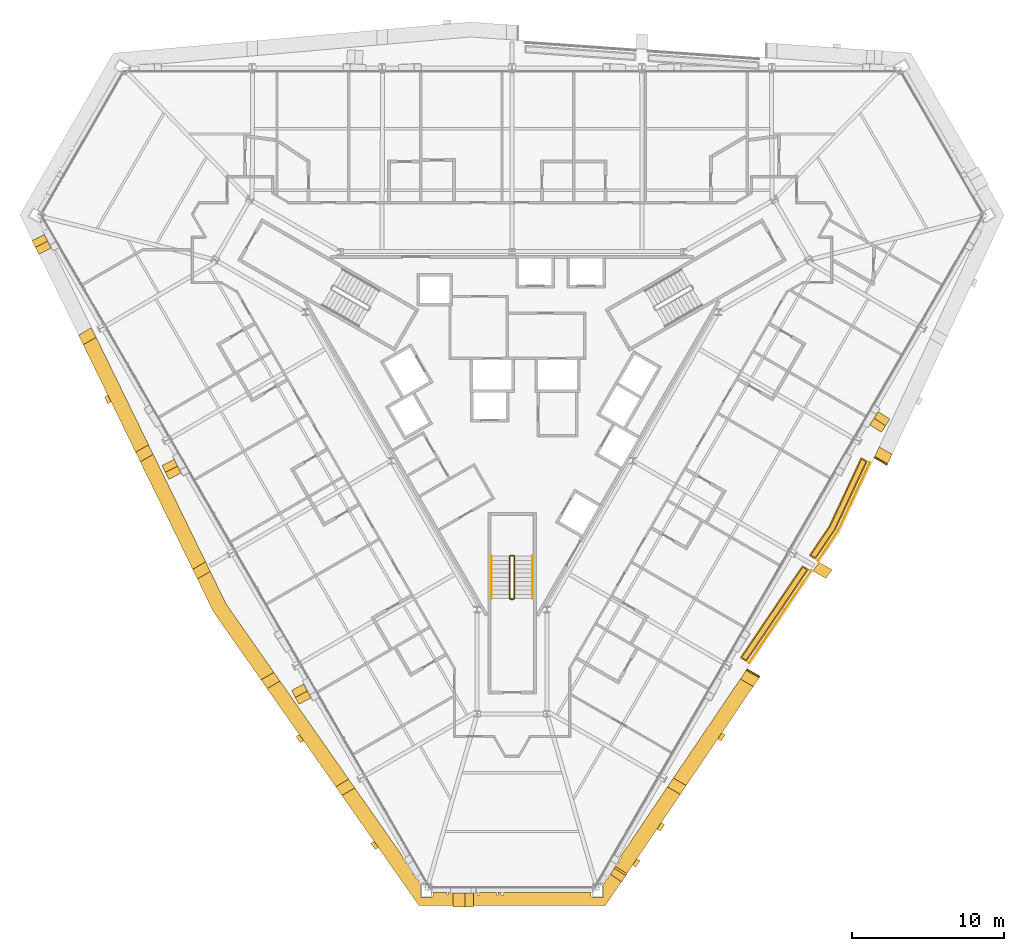
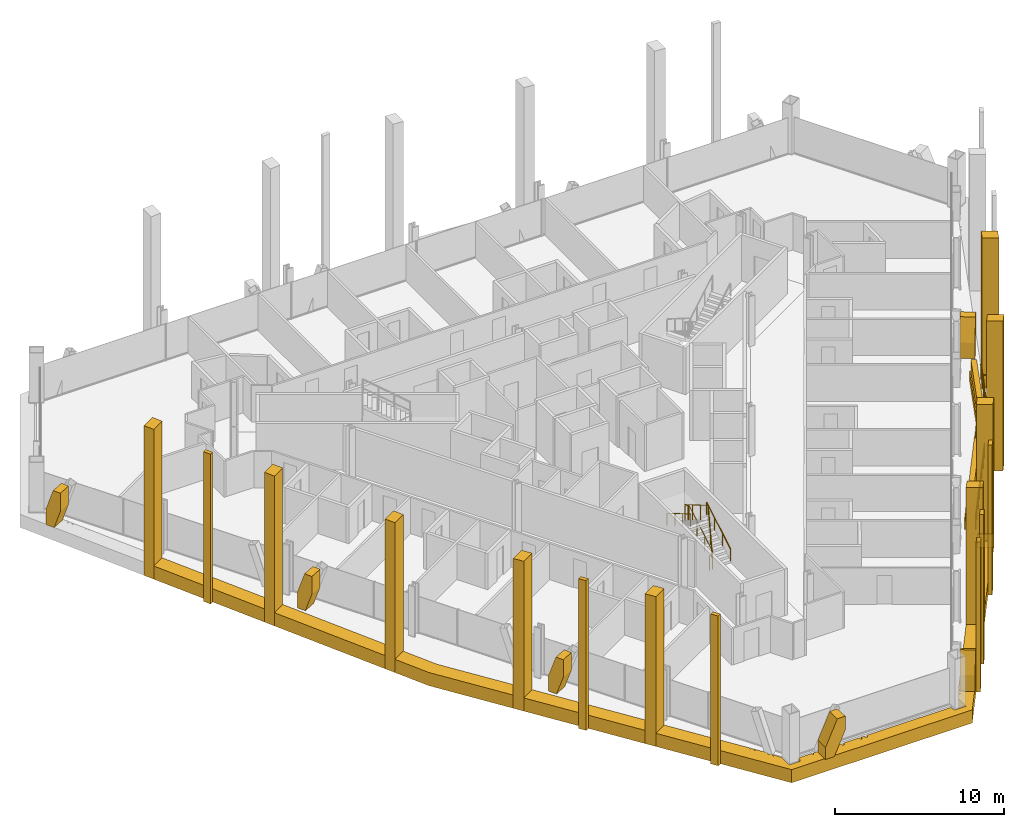
# One storey, part 19 of 21: 33 coverings, 5 railings.
"""IFC4 building model written with IfcOpenShell, lengths in metres."""

from ifc_helpers import new_model, si_unit, direction, frame, origin, origin_2d, place, context, subcontext, project, spatial, polyline, circle, outline, extrude, material, layer, layer_set, type_object, element, save


model = new_model("IFC4")

# Units and contexts
model_context = context("Model", 3, precision=1e-05, world=origin(), true_north=direction((0.0, 1.0)))
body_context = subcontext(model_context, "Body", "Model", "MODEL_VIEW")
ifc_project = project(units=[si_unit("LENGTHUNIT", "METRE"), si_unit("AREAUNIT", "SQUARE_METRE"), si_unit("VOLUMEUNIT", "CUBIC_METRE"), si_unit("PLANEANGLEUNIT", "RADIAN"), si_unit("MASSUNIT", "GRAM", prefix="KILO")], contexts=[model_context])

# Site, building, storey
site_placement = place(None, origin())
site = spatial("IfcSite", under=ifc_project, at=site_placement, CompositionType="ELEMENT")
building_placement = place(site_placement, origin())
building = spatial("IfcBuilding", under=site, at=building_placement, Name="Verrane Prism Tower", CompositionType="ELEMENT")
storey_placement = place(building_placement, frame((0.0, 0.0, 65.60009765625)))
storey = spatial("IfcBuildingStorey", under=building, at=storey_placement, Name="L14", CompositionType="ELEMENT", Elevation=65.60009765625)

# Coverings
ifc_material_1 = material(Name="Planting medium in stone kerb", Category="masonry")
covering_type_1 = type_object("IfcCoveringType", Name="Planter bed 600", PredefinedType="USERDEFINED", material=ifc_material_1)
covering_1_placement = place(storey_placement, origin())
element("IfcCovering", 1, at=covering_1_placement, inside=storey, type_object=covering_type_1, Name="Loggia planter SE3 L14", ObjectType="PLANTER", PredefinedType="USERDEFINED", context=body_context, shape_type="SweptSolid", body=[
    extrude(outline(polyline([(15.480224609375, -17.8564453125), (19.587890625, -11.77099609375), (19.155029296875, -11.52099609375), (15.04736328125, -17.6064453125), (15.480224609375, -17.8564453125)])), origin(), (0.0, 0.0, 1.0), 0.599853515625),
])
covering_2_placement = place(storey_placement, origin())
element("IfcCovering", 2, at=covering_2_placement, inside=storey, type_object=covering_type_1, Name="Loggia planter SE4 L14", ObjectType="PLANTER", PredefinedType="USERDEFINED", context=body_context, shape_type="SweptSolid", body=[
    extrude(outline(polyline([(20.03662109375, -11.106201171875), (21.35009765625, -9.160400390625), (23.4658203125, -4.629150390625), (23.03271484375, -4.379150390625), (20.917236328125, -8.910400390625), (19.603759765625, -10.856201171875), (20.03662109375, -11.106201171875)])), origin(), (0.0, 0.0, 1.0), 0.599853515625),
])
ifc_material_2 = material(Name="Planted shrubs and grasses", Category="other")
covering_type_2 = type_object("IfcCoveringType", Name="Planting mass 1000", PredefinedType="USERDEFINED", material=ifc_material_2)
covering_3_placement = place(storey_placement, frame((0.0, 0.0, 0.599853515625)))
element("IfcCovering", 3, at=covering_3_placement, inside=storey, type_object=covering_type_2, Name="Loggia planting SE3 L14", ObjectType="PLANTING", PredefinedType="USERDEFINED", context=body_context, shape_type="SweptSolid", body=[
    extrude(outline(polyline([(19.4736328125, -11.79736328125), (19.1796875, -11.627685546875), (15.16162109375, -17.580078125), (15.455810546875, -17.75), (19.4736328125, -11.79736328125)])), origin(), (0.0, 0.0, 1.0), 0.900146484375),
])
covering_4_placement = place(storey_placement, frame((0.0, 0.0, 0.599853515625)))
element("IfcCovering", 4, at=covering_4_placement, inside=storey, type_object=covering_type_2, Name="Loggia planting SE4 L14", ObjectType="PLANTING", PredefinedType="USERDEFINED", context=body_context, shape_type="SweptSolid", body=[
    extrude(outline(polyline([(21.280517578125, -9.120849609375), (23.3623046875, -4.66162109375), (23.068359375, -4.491943359375), (20.987060546875, -8.949951171875), (19.718017578125, -10.829833984375), (20.01220703125, -10.999755859375), (21.280517578125, -9.120849609375)])), origin(), (0.0, 0.0, 1.0), 0.900146484375),
])

# Railings
ifc_material_3 = material(Name="Steel A36 rail and posts, no infill", Category="steel")
railing_type_1 = type_object("IfcRailingType", Name="Stair guard 1100 steel rail and posts", PredefinedType="GUARDRAIL", material=ifc_material_3)
railing_1_placement = place(storey_placement, frame((0.14990234375, -13.699951171875, 0.16357421875)))
element("IfcRailing", 5, at=railing_1_placement, inside=storey, type_object=railing_type_1, Name="Stair 3 guard", PredefinedType="GUARDRAIL", context=body_context, shape_type="SweptSolid", body=[
    extrude(circle(Radius=0.02392578125, at=origin_2d()), frame((0.0, 0.0, 1.076171875), z_axis=(0.0, 0.863393664356, 0.504530851732), x_axis=(-1.0, 0.0, 0.0)), (0.0, 0.0, 1.0), 3.2431640625),
    extrude(circle(Radius=0.02392578125, at=origin_2d()), frame((0.0, 2.800048828125, 2.71240234375), z_axis=(-0.707106781187, 0.707106781187, 0.0), x_axis=(-0.707106781187, -0.707106781187, 0.0)), (0.0, 0.0, 1.0), 0.0703125),
    extrude(circle(Radius=0.02392578125, at=origin_2d()), frame((-0.0498046875, 2.849853515625, 2.71240234375), z_axis=(-1.0, 0.0, 0.0), x_axis=(0.0, -1.0, 0.0)), (0.0, 0.0, 1.0), 0.2001953125),
    extrude(circle(Radius=0.02392578125, at=origin_2d()), frame((-0.25, 2.849853515625, 2.71240234375), z_axis=(-0.279301935624, -0.279301935624, 0.918684307863), x_axis=(0.707106781187, -0.707106781187, 0.0)), (0.0, 0.0, 1.0), 0.17822265625),
    extrude(circle(Radius=0.02392578125, at=origin_2d()), frame((-0.2998046875, 2.800048828125, 2.8759765625), z_axis=(0.0, -0.863393664356, 0.504530851732), x_axis=(1.0, 0.0, 0.0)), (0.0, 0.0, 1.0), 3.2431640625),
    extrude(circle(Radius=0.02392578125, at=origin_2d()), frame((-0.2998046875, 0.0, 4.51220703125), z_axis=(0.069273741535, -0.013868278335, -0.997501288014), x_axis=(0.196300278283, 0.98054382908, 0.0)), (0.0, 0.0, 1.0), 3.60888671875),
    extrude(circle(Radius=0.02392578125, at=origin_2d()), frame((-0.0498046875, -0.050048828125, 0.91259765625), z_axis=(-1.0, 0.0, 0.0), x_axis=(0.0, -1.0, 0.0)), (0.0, 0.0, 1.0), 0.2001953125),
    extrude(circle(Radius=0.02099609375, at=origin_2d()), origin(), (0.0, 0.0, 1.0), 1.052001953125),
    extrude(circle(Radius=0.02099609375, at=origin_2d()), frame((0.0, 0.933349609375, 0.54541015625)), (0.0, 0.0, 1.0), 1.052001953125),
    extrude(circle(Radius=0.02099609375, at=origin_2d()), frame((0.0, 1.86669921875, 1.0908203125)), (0.0, 0.0, 1.0), 1.052001953125),
    extrude(circle(Radius=0.02099609375, at=origin_2d()), frame((0.0, 2.800048828125, 1.63623046875)), (0.0, 0.0, 1.0), 1.052001953125),
    extrude(circle(Radius=0.02099609375, at=origin_2d()), frame((-0.0498046875, 2.849853515625, 1.63623046875)), (0.0, 0.0, 1.0), 1.052001953125),
    extrude(circle(Radius=0.02099609375, at=origin_2d()), frame((-0.25, 2.849853515625, 1.63623046875)), (0.0, 0.0, 1.0), 1.052001953125),
    extrude(circle(Radius=0.02099609375, at=origin_2d()), frame((-0.2998046875, 2.800048828125, 1.800048828125)), (0.0, 0.0, 1.0), 1.052001953125),
    extrude(circle(Radius=0.02099609375, at=origin_2d()), frame((-0.2998046875, 1.86669921875, 2.345458984375)), (0.0, 0.0, 1.0), 1.052001953125),
    extrude(circle(Radius=0.02099609375, at=origin_2d()), frame((-0.2998046875, 0.933349609375, 2.890869140625)), (0.0, 0.0, 1.0), 1.052001953125),
    extrude(circle(Radius=0.02099609375, at=origin_2d()), frame((-0.2998046875, 0.0, 3.436279296875)), (0.0, 0.0, 1.0), 1.052001953125),
    extrude(circle(Radius=0.02099609375, at=origin_2d()), frame((-0.2373046875, -0.012451171875, 2.536376953125)), (0.0, 0.0, 1.0), 1.052001953125),
    extrude(circle(Radius=0.02099609375, at=origin_2d()), frame((-0.1748046875, -0.02490234375, 1.63623046875)), (0.0, 0.0, 1.0), 1.052001953125),
    extrude(circle(Radius=0.02099609375, at=origin_2d()), frame((-0.1123046875, -0.03759765625, 0.736328125)), (0.0, 0.0, 1.0), 1.052001953125),
    extrude(circle(Radius=0.02099609375, at=origin_2d()), frame((-0.0498046875, -0.050048828125, -0.16357421875)), (0.0, 0.0, 1.0), 1.052001953125),
    extrude(circle(Radius=0.02099609375, at=origin_2d()), frame((-0.25, -0.050048828125, -0.16357421875)), (0.0, 0.0, 1.0), 1.052001953125),
])
ifc_material_4 = material(Name="Steel A36 tube", Category="steel")
railing_type_2 = type_object("IfcRailingType", Name="Stair handrail 900 steel tube", PredefinedType="HANDRAIL", material=ifc_material_4)
railing_2_placement = place(storey_placement, frame((1.35009765625, -13.699951171875, 0.16357421875)))
element("IfcRailing", 6, at=railing_2_placement, inside=storey, type_object=railing_type_2, Name="Stair 3 handrail", PredefinedType="HANDRAIL", context=body_context, shape_type="SweptSolid", body=[
    extrude(circle(Radius=0.02392578125, at=origin_2d()), frame((0.0, 0.0, 0.8759765625), z_axis=(0.0, 0.863393664356, 0.504530851732), x_axis=(-1.0, 0.0, 0.0)), (0.0, 0.0, 1.0), 3.2431640625),
    extrude(circle(Radius=0.02099609375, at=origin_2d()), origin(), (0.0, 0.0, 1.0), 0.851806640625),
    extrude(circle(Radius=0.02099609375, at=origin_2d()), frame((0.0, 0.933349609375, 0.54541015625)), (0.0, 0.0, 1.0), 0.851806640625),
    extrude(circle(Radius=0.02099609375, at=origin_2d()), frame((0.0, 1.86669921875, 1.0908203125)), (0.0, 0.0, 1.0), 0.851806640625),
    extrude(circle(Radius=0.02099609375, at=origin_2d()), frame((0.0, 2.800048828125, 1.63623046875)), (0.0, 0.0, 1.0), 0.851806640625),
])
railing_3_placement = place(storey_placement, frame((-1.35009765625, -10.89990234375, 1.963623046875)))
element("IfcRailing", 7, at=railing_3_placement, inside=storey, type_object=railing_type_2, Name="Stair 3 handrail", PredefinedType="HANDRAIL", context=body_context, shape_type="SweptSolid", body=[
    extrude(circle(Radius=0.02392578125, at=origin_2d()), frame((0.0, 0.0, 0.8759765625), z_axis=(0.0, -0.863393664356, 0.504530851732), x_axis=(1.0, 0.0, 0.0)), (0.0, 0.0, 1.0), 3.2431640625),
    extrude(circle(Radius=0.02099609375, at=origin_2d()), origin(), (0.0, 0.0, 1.0), 0.851806640625),
    extrude(circle(Radius=0.02099609375, at=origin_2d()), frame((0.0, -0.933349609375, 0.54541015625)), (0.0, 0.0, 1.0), 0.851806640625),
    extrude(circle(Radius=0.02099609375, at=origin_2d()), frame((0.0, -1.86669921875, 1.0908203125)), (0.0, 0.0, 1.0), 0.851806640625),
    extrude(circle(Radius=0.02099609375, at=origin_2d()), frame((0.0, -2.800048828125, 1.63623046875)), (0.0, 0.0, 1.0), 0.851806640625),
])

# Coverings
ifc_material_5 = material(Name="Warm limestone cladding", Category="masonry")
ifc_layer_1 = layer(ifc_material_5, 0.89990234375)
ifc_layer_set_1 = layer_set([ifc_layer_1], Name="Stone brace fin 900")
covering_type_3 = type_object("IfcCoveringType", Name="Stone brace fin 900", PredefinedType="CLADDING", material=ifc_layer_set_1)
covering_5_placement = place(storey_placement, frame((-31.276123046875, 10.12548828125, 0.0), z_axis=(0.0, 0.0, 1.0), x_axis=(0.455390384717, -0.890291860856, 0.0)))
element("IfcCovering", 8, at=covering_5_placement, inside=storey, type_object=covering_type_3, Name="Stone brace fin SW1 L14", PredefinedType="CLADDING", context=body_context, shape_type="SweptSolid", body=[
    extrude(outline(polyline([(1.0009765625, 2.64990234375), (0.488037109375, 2.64990234375), (0.0, 1.1826171875), (0.0, 0.0), (0.554931640625, 0.0), (1.0009765625, 1.340087890625), (1.0009765625, 2.64990234375)])), frame((0.0, 0.449951171875, 0.0), z_axis=(0.0, -1.0, 0.0), x_axis=(1.0, 0.0, 0.0)), (0.0, 0.0, 1.0), 0.89990234375),
])
covering_6_placement = place(storey_placement, frame((-22.708251953125, -4.711181640625, 0.0), z_axis=(0.0, 0.0, 1.0), x_axis=(0.456204703793, -0.889874860998, 0.0)))
element("IfcCovering", 9, at=covering_6_placement, inside=storey, type_object=covering_type_3, Name="Stone brace fin SW3 L14", PredefinedType="CLADDING", context=body_context, shape_type="SweptSolid", body=[
    extrude(outline(polyline([(1.018310546875, 2.64990234375), (0.504150390625, 2.64990234375), (0.0, 1.16064453125), (0.0, 0.0), (0.55712890625, 0.0), (1.018310546875, 1.362060546875), (1.018310546875, 2.64990234375)])), frame((0.0, 0.449951171875, 0.0), z_axis=(0.0, -1.0, 0.0), x_axis=(1.0, 0.0, 0.0)), (0.0, 0.0, 1.0), 0.89990234375),
])
covering_7_placement = place(storey_placement, frame((-14.144287109375, -19.546142578125, 0.0), z_axis=(0.0, 0.0, 1.0), x_axis=(0.45700146616, -0.889465940848, 0.0)))
element("IfcCovering", 10, at=covering_7_placement, inside=storey, type_object=covering_type_3, Name="Stone brace fin SW5 L14", PredefinedType="CLADDING", context=body_context, shape_type="SweptSolid", body=[
    extrude(outline(polyline([(1.034912109375, 2.64990234375), (0.519287109375, 2.64990234375), (0.0, 1.140625), (0.0, 0.0), (0.559326171875, 0.0), (1.034912109375, 1.382080078125), (1.034912109375, 2.64990234375)])), frame((0.0, 0.449951171875, 0.0), z_axis=(0.0, -1.0, 0.0), x_axis=(1.0, 0.0, 0.0)), (0.0, 0.0, 1.0), 0.89990234375),
])
covering_8_placement = place(storey_placement, frame((6.87060546875, -32.14794921875, 0.0), z_axis=(0.0, 0.0, 1.0), x_axis=(0.543538748435, 0.839384077136, 0.0)))
element("IfcCovering", 11, at=covering_8_placement, inside=storey, type_object=covering_type_3, Name="Stone brace fin SE1 L14", PredefinedType="CLADDING", context=body_context, shape_type="SweptSolid", body=[
    extrude(outline(polyline([(0.6337890625, 2.64990234375), (0.488037109375, 2.64990234375), (0.0, 1.182861328125), (0.0, 0.0), (0.554931640625, 0.0), (0.6337890625, 0.237060546875), (0.6337890625, 2.64990234375)])), frame((0.0, 0.449951171875, 0.0), z_axis=(0.0, -1.0, 0.0), x_axis=(1.0, 0.0, 0.0)), (0.0, 0.0, 1.0), 0.89990234375),
])
covering_9_placement = place(storey_placement, frame((23.997314453125, -2.4755859375, 0.0), z_axis=(0.0, 0.0, 1.0), x_axis=(0.541115510914, 0.84094827656, 0.0)))
element("IfcCovering", 12, at=covering_9_placement, inside=storey, type_object=covering_type_3, Name="Stone brace fin SE5 L14", PredefinedType="CLADDING", context=body_context, shape_type="SweptSolid", body=[
    extrude(outline(polyline([(1.0341796875, 2.64990234375), (0.5185546875, 2.64990234375), (0.0, 1.141357421875), (0.0, 0.0), (0.559326171875, 0.0), (1.0341796875, 1.38134765625), (1.0341796875, 2.64990234375)])), frame((0.0, 0.449951171875, 0.0), z_axis=(0.0, -1.0, 0.0), x_axis=(1.0, 0.0, 0.0)), (0.0, 0.0, 1.0), 0.89990234375),
])
covering_10_placement = place(storey_placement, frame((-3.90185546875, -33.587890625, 0.0), z_axis=(0.0, 0.0, 1.0), x_axis=(1.0, 0.0, 0.0)))
element("IfcCovering", 13, at=covering_10_placement, inside=storey, type_object=covering_type_3, Name="Stone brace fin S1 L14", PredefinedType="CLADDING", context=body_context, shape_type="SweptSolid", body=[
    extrude(outline(polyline([(1.3466796875, 2.64990234375), (0.804931640625, 2.64990234375), (0.0, 0.8544921875), (0.0, 0.0), (0.60302734375, 0.0), (1.3466796875, 1.658203125), (1.3466796875, 2.64990234375)])), frame((0.0, 0.449951171875, 0.0), z_axis=(0.0, -1.0, 0.0), x_axis=(1.0, 0.0, 0.0)), (0.0, 0.0, 1.0), 0.89990234375),
])
ifc_material_6 = material(Name="Warm limestone cladding", Category="masonry")
covering_type_4 = type_object("IfcCoveringType", Name="Stone mullion pier 500", PredefinedType="CLADDING", material=ifc_material_6)
covering_11_placement = place(storey_placement, frame((0.0, 0.0, -0.9501953125)))
element("IfcCovering", 14, at=covering_11_placement, inside=storey, type_object=covering_type_4, Name="Stone pier SM-SW1.1 L14-L16", PredefinedType="CLADDING", context=body_context, shape_type="SweptSolid", body=[
    extrude(outline(polyline([(-26.459228515625, -0.714599609375), (-26.678955078125, -0.263916015625), (-26.89599609375, -0.38916015625), (-26.676513671875, -0.83984375), (-26.459228515625, -0.714599609375)])), origin(), (0.0, 0.0, 1.0), 10.800048828125),
])
covering_12_placement = place(storey_placement, frame((0.0, 0.0, -0.9501953125)))
element("IfcCovering", 15, at=covering_12_placement, inside=storey, type_object=covering_type_4, Name="Stone pier SM-SW4.1 L14-L16", PredefinedType="CLADDING", context=body_context, shape_type="SweptSolid", body=[
    extrude(outline(polyline([(-13.752197265625, -23.0791015625), (-14.0400390625, -22.66796875), (-14.25732421875, -22.793212890625), (-13.9697265625, -23.20458984375), (-13.752197265625, -23.0791015625)])), origin(), (0.0, 0.0, 1.0), 10.800048828125),
])
covering_13_placement = place(storey_placement, frame((0.0, 0.0, -0.9501953125)))
element("IfcCovering", 16, at=covering_13_placement, inside=storey, type_object=covering_type_4, Name="Stone pier SM-SW5.1 L14-L16", PredefinedType="CLADDING", context=body_context, shape_type="SweptSolid", body=[
    extrude(outline(polyline([(-8.819091796875, -30.13134765625), (-9.106689453125, -29.719970703125), (-9.32421875, -29.845458984375), (-9.036376953125, -30.2568359375), (-8.819091796875, -30.13134765625)])), origin(), (0.0, 0.0, 1.0), 10.800048828125),
])
covering_14_placement = place(storey_placement, frame((0.0, 0.0, -0.9501953125)))
element("IfcCovering", 17, at=covering_14_placement, inside=storey, type_object=covering_type_4, Name="Stone pier SM-SE0.1 L14-L16", PredefinedType="CLADDING", context=body_context, shape_type="SweptSolid", body=[
    extrude(outline(polyline([(8.23828125, -30.86865234375), (7.957763671875, -31.2841796875), (8.1748046875, -31.409423828125), (8.455322265625, -30.993896484375), (8.23828125, -30.86865234375)])), origin(), (0.0, 0.0, 1.0), 10.800048828125),
])
covering_15_placement = place(storey_placement, frame((0.0, 0.0, -0.9501953125)))
element("IfcCovering", 18, at=covering_15_placement, inside=storey, type_object=covering_type_4, Name="Stone pier SM-SE0.2 L14-L16", PredefinedType="CLADDING", context=body_context, shape_type="SweptSolid", body=[
    extrude(outline(polyline([(9.84130859375, -28.493896484375), (9.560791015625, -28.909423828125), (9.77783203125, -29.03466796875), (10.05810546875, -28.619140625), (9.84130859375, -28.493896484375)])), origin(), (0.0, 0.0, 1.0), 10.800048828125),
])
covering_16_placement = place(storey_placement, frame((0.0, 0.0, -0.9501953125)))
element("IfcCovering", 19, at=covering_16_placement, inside=storey, type_object=covering_type_4, Name="Stone pier SM-SE1.1 L14-L16", PredefinedType="CLADDING", context=body_context, shape_type="SweptSolid", body=[
    extrude(outline(polyline([(13.848388671875, -22.55712890625), (13.568115234375, -22.97265625), (13.784912109375, -23.097900390625), (14.0654296875, -22.6826171875), (13.848388671875, -22.55712890625)])), origin(), (0.0, 0.0, 1.0), 10.800048828125),
])
ifc_material_7 = material(Name="Warm limestone cladding", Category="masonry")
covering_type_5 = type_object("IfcCoveringType", Name="Stone pier 700", PredefinedType="CLADDING", material=ifc_material_7)
covering_17_placement = place(storey_placement, frame((0.0, 0.0, -0.9501953125)))
element("IfcCovering", 20, at=covering_17_placement, inside=storey, type_object=covering_type_5, Name="Stone pier PC-SW1 L14-L16", PredefinedType="CLADDING", context=body_context, shape_type="SweptSolid", body=[
    extrude(outline(polyline([(-28.298095703125, 3.05859375), (-27.448974609375, 3.548828125), (-27.75634765625, 4.1796875), (-28.60546875, 3.689453125), (-28.298095703125, 3.05859375)])), origin(), (0.0, 0.0, 1.0), 10.800048828125),
])
covering_18_placement = place(storey_placement, frame((0.0, 0.0, -0.9501953125)))
element("IfcCovering", 21, at=covering_18_placement, inside=storey, type_object=covering_type_5, Name="Stone pier PC-SW2 L14-L16", PredefinedType="CLADDING", context=body_context, shape_type="SweptSolid", body=[
    extrude(outline(polyline([(-24.53271484375, -4.667724609375), (-23.68359375, -4.177490234375), (-23.9912109375, -3.546630859375), (-24.840087890625, -4.037109375), (-24.53271484375, -4.667724609375)])), origin(), (0.0, 0.0, 1.0), 10.800048828125),
])
covering_19_placement = place(storey_placement, frame((0.0, 0.0, -0.9501953125)))
element("IfcCovering", 22, at=covering_19_placement, inside=storey, type_object=covering_type_5, Name="Stone pier PC-SW3 L14-L16", PredefinedType="CLADDING", context=body_context, shape_type="SweptSolid", body=[
    extrude(outline(polyline([(-20.767578125, -12.394287109375), (-19.91845703125, -11.904052734375), (-20.225830078125, -11.273193359375), (-21.074951171875, -11.763427734375), (-20.767578125, -12.394287109375)])), origin(), (0.0, 0.0, 1.0), 10.800048828125),
])
covering_20_placement = place(storey_placement, frame((0.0, 0.0, -0.9501953125)))
element("IfcCovering", 23, at=covering_20_placement, inside=storey, type_object=covering_type_5, Name="Stone pier PC-SW4 L14-L16", PredefinedType="CLADDING", context=body_context, shape_type="SweptSolid", body=[
    extrude(outline(polyline([(-16.161376953125, -19.63525390625), (-15.311279296875, -19.144287109375), (-15.7138671875, -18.568603515625), (-16.564208984375, -19.0595703125), (-16.161376953125, -19.63525390625)])), origin(), (0.0, 0.0, 1.0), 10.800048828125),
])
covering_21_placement = place(storey_placement, frame((0.0, 0.0, -0.9501953125)))
element("IfcCovering", 24, at=covering_21_placement, inside=storey, type_object=covering_type_5, Name="Stone pier PC-SW5 L14-L16", PredefinedType="CLADDING", context=body_context, shape_type="SweptSolid", body=[
    extrude(outline(polyline([(-11.228271484375, -26.6875), (-10.3779296875, -26.196533203125), (-10.78076171875, -25.620849609375), (-11.630859375, -26.11181640625), (-11.228271484375, -26.6875)])), origin(), (0.0, 0.0, 1.0), 10.800048828125),
])
covering_22_placement = place(storey_placement, frame((0.0, 0.0, -0.9501953125)))
element("IfcCovering", 25, at=covering_22_placement, inside=storey, type_object=covering_type_5, Name="Stone pier PC-SE1 L14-L16", PredefinedType="CLADDING", context=body_context, shape_type="SweptSolid", body=[
    extrude(outline(polyline([(11.5, -26.0361328125), (10.65087890625, -25.5458984375), (10.25830078125, -26.12744140625), (11.107421875, -26.617919921875), (11.5, -26.0361328125)])), origin(), (0.0, 0.0, 1.0), 10.800048828125),
])
covering_23_placement = place(storey_placement, frame((0.0, 0.0, -0.9501953125)))
element("IfcCovering", 26, at=covering_23_placement, inside=storey, type_object=covering_type_5, Name="Stone pier PC-SE2 L14-L16", PredefinedType="CLADDING", context=body_context, shape_type="SweptSolid", body=[
    extrude(outline(polyline([(16.308837890625, -18.912109375), (15.459716796875, -18.421875), (15.06689453125, -19.00341796875), (15.916259765625, -19.49365234375), (16.308837890625, -18.912109375)])), origin(), (0.0, 0.0, 1.0), 10.800048828125),
])
covering_24_placement = place(storey_placement, frame((0.0, 0.0, -0.9501953125)))
element("IfcCovering", 27, at=covering_24_placement, inside=storey, type_object=covering_type_5, Name="Stone pier PC-SE3 L14-L16", PredefinedType="CLADDING", context=body_context, shape_type="SweptSolid", body=[
    extrude(outline(polyline([(21.117431640625, -11.7880859375), (20.268310546875, -11.2978515625), (19.875732421875, -11.87939453125), (20.724853515625, -12.36962890625), (21.117431640625, -11.7880859375)])), origin(), (0.0, 0.0, 1.0), 10.800048828125),
])
covering_25_placement = place(storey_placement, frame((0.0, 0.0, -0.9501953125)))
element("IfcCovering", 28, at=covering_25_placement, inside=storey, type_object=covering_type_5, Name="Stone pier PC-SE4 L14-L16", PredefinedType="CLADDING", context=body_context, shape_type="SweptSolid", body=[
    extrude(outline(polyline([(25.08544921875, -4.178466796875), (24.235107421875, -3.6875), (23.93798828125, -4.32421875), (24.7880859375, -4.815185546875), (25.08544921875, -4.178466796875)])), origin(), (0.0, 0.0, 1.0), 10.800048828125),
])
ifc_material_8 = material(Name="Warm limestone cladding", Category="masonry")
ifc_layer_2 = layer(ifc_material_8, 0.449951171875)
ifc_layer_set_2 = layer_set([ifc_layer_2], Name="Stone spandrel band 450")
covering_type_6 = type_object("IfcCoveringType", Name="Stone spandrel band 450", PredefinedType="CLADDING", material=ifc_layer_set_2)
covering_26_placement = place(storey_placement, frame((0.0, 0.0, -0.9501953125)))
element("IfcCovering", 29, at=covering_26_placement, inside=storey, type_object=covering_type_6, Name="Stone spandrel band L14 part 1", PredefinedType="CLADDING", context=body_context, shape_type="SweptSolid", body=[
    extrude(outline(polyline([(6.166015625, -33.93896484375), (11.107421875, -26.617919921875), (10.25830078125, -26.12744140625), (7.781005859375, -29.798095703125), (7.819091796875, -29.836181640625), (7.741943359375, -29.9130859375), (7.71875, -29.889892578125), (7.650146484375, -29.99169921875), (7.69384765625, -30.01708984375), (7.6572265625, -30.08056640625), (7.60888671875, -30.052490234375), (7.141845703125, -30.74462890625), (7.2412109375, -30.802001953125), (7.18310546875, -30.90283203125), (7.07666015625, -30.84130859375), (6.960205078125, -31.013671875), (7.075439453125, -31.08837890625), (7.03662109375, -31.1484375), (6.920166015625, -31.072998046875), (6.71044921875, -31.3837890625), (6.489990234375, -31.765625), (6.593505859375, -31.83251953125), (6.531494140625, -31.92822265625), (6.432861328125, -31.864501953125), (6.318115234375, -32.063720703125), (6.394775390625, -32.142822265625), (6.346435546875, -32.189697265625), (6.282958984375, -32.124267578125), (6.030029296875, -32.5625), (6.030029296875, -33.43994140625), (5.27001953125, -33.43994140625), (5.27001953125, -33.418212890625), (5.219970703125, -33.3349609375), (5.219970703125, -33.093994140625), (-0.5361328125, -33.093994140625), (-0.57861328125, -33.28759765625), (-0.735595703125, -33.2529296875), (-0.70068359375, -33.093994140625), (-0.94091796875, -33.093994140625), (-0.94091796875, -33.260009765625), (-1.0341796875, -33.260009765625), (-1.0341796875, -33.093994140625), (-2.1328125, -33.093994140625), (-2.1328125, -33.260009765625), (-2.28759765625, -33.260009765625), (-2.28759765625, -33.093994140625), (-2.555419921875, -33.093994140625), (-2.555419921875, -33.260009765625), (-2.648681640625, -33.260009765625), (-2.648681640625, -33.093994140625), (-3.747314453125, -33.093994140625), (-3.747314453125, -33.260009765625), (-3.90185546875, -33.260009765625), (-3.90185546875, -33.093994140625), (-4.195068359375, -33.093994140625), (-4.2412109375, -33.247314453125), (-4.32421875, -33.22216796875), (-4.285400390625, -33.093994140625), (-5.219970703125, -33.093994140625), (-5.219970703125, -33.3349609375), (-5.27001953125, -33.418212890625), (-5.27001953125, -33.43994140625), (-6.030029296875, -33.43994140625), (-6.030029296875, -32.5625), (-6.282958984375, -32.124267578125), (-6.346435546875, -32.189697265625), (-6.394775390625, -32.142822265625), (-6.318115234375, -32.063720703125), (-6.432861328125, -31.864501953125), (-6.531494140625, -31.92822265625), (-6.593505859375, -31.83251953125), (-6.489990234375, -31.765625), (-6.527587890625, -31.70068359375), (-6.9521484375, -31.09375), (-7.03662109375, -31.1484375), (-7.075439453125, -31.08837890625), (-6.9931640625, -31.034912109375), (-7.113525390625, -30.86279296875), (-7.18310546875, -30.90283203125), (-7.2412109375, -30.802001953125), (-7.1806640625, -30.76708984375), (-10.3779296875, -26.196533203125), (-11.228271484375, -26.6875), (-6.155517578125, -33.93896484375), (6.166015625, -33.93896484375)])), origin(), (0.0, 0.0, 1.0), 0.9501953125),
])
covering_27_placement = place(storey_placement, frame((0.0, 0.0, -0.9501953125)))
element("IfcCovering", 30, at=covering_27_placement, inside=storey, type_object=covering_type_6, Name="Stone spandrel band L14 part 4", PredefinedType="CLADDING", context=body_context, shape_type="SweptSolid", body=[
    extrude(outline(polyline([(-23.9912109375, -3.546630859375), (-27.448974609375, 3.548828125), (-28.298095703125, 3.05859375), (-24.840087890625, -4.037109375), (-23.9912109375, -3.546630859375)])), origin(), (0.0, 0.0, 1.0), 0.9501953125),
])
covering_28_placement = place(storey_placement, frame((0.0, 0.0, -0.9501953125)))
element("IfcCovering", 31, at=covering_28_placement, inside=storey, type_object=covering_type_6, Name="Stone spandrel band L14 part 5", PredefinedType="CLADDING", context=body_context, shape_type="SweptSolid", body=[
    extrude(outline(polyline([(-24.53271484375, -4.667724609375), (-21.074951171875, -11.763427734375), (-20.225830078125, -11.273193359375), (-23.68359375, -4.177490234375), (-24.53271484375, -4.667724609375)])), origin(), (0.0, 0.0, 1.0), 0.9501953125),
])
covering_29_placement = place(storey_placement, frame((0.0, 0.0, -0.9501953125)))
element("IfcCovering", 32, at=covering_29_placement, inside=storey, type_object=covering_type_6, Name="Stone spandrel band L14 part 6", PredefinedType="CLADDING", context=body_context, shape_type="SweptSolid", body=[
    extrude(outline(polyline([(-19.712890625, -14.55859375), (-16.564208984375, -19.0595703125), (-15.7138671875, -18.568603515625), (-18.8671875, -14.06103515625), (-19.91845703125, -11.904052734375), (-20.767578125, -12.394287109375), (-19.712890625, -14.55859375)])), origin(), (0.0, 0.0, 1.0), 0.9501953125),
])
covering_30_placement = place(storey_placement, frame((0.0, 0.0, -0.9501953125)))
element("IfcCovering", 33, at=covering_30_placement, inside=storey, type_object=covering_type_6, Name="Stone spandrel band L14 part 7", PredefinedType="CLADDING", context=body_context, shape_type="SweptSolid", body=[
    extrude(outline(polyline([(-10.78076171875, -25.620849609375), (-15.311279296875, -19.144287109375), (-16.161376953125, -19.63525390625), (-11.630859375, -26.11181640625), (-10.78076171875, -25.620849609375)])), origin(), (0.0, 0.0, 1.0), 0.9501953125),
])
covering_31_placement = place(storey_placement, frame((0.0, 0.0, -0.9501953125)))
element("IfcCovering", 34, at=covering_31_placement, inside=storey, type_object=covering_type_6, Name="Stone spandrel band L14 part 8", PredefinedType="CLADDING", context=body_context, shape_type="SweptSolid", body=[
    extrude(outline(polyline([(15.06689453125, -19.00341796875), (10.65087890625, -25.5458984375), (11.5, -26.0361328125), (15.916259765625, -19.49365234375), (15.06689453125, -19.00341796875)])), origin(), (0.0, 0.0, 1.0), 0.9501953125),
])
covering_32_placement = place(storey_placement, frame((0.0, 0.0, -0.9501953125)))
element("IfcCovering", 35, at=covering_32_placement, inside=storey, type_object=covering_type_6, Name="Stone spandrel band L14 part 12", PredefinedType="CLADDING", context=body_context, shape_type="SweptSolid", body=[
    extrude(outline(polyline([(16.308837890625, -18.912109375), (16.364990234375, -18.8291015625), (15.515625, -18.3388671875), (15.459716796875, -18.421875), (16.308837890625, -18.912109375)])), origin(), (0.0, 0.0, 1.0), 0.9501953125),
])
covering_33_placement = place(storey_placement, frame((0.0, 0.0, -0.9501953125)))
element("IfcCovering", 36, at=covering_33_placement, inside=storey, type_object=covering_type_6, Name="Stone spandrel band L14 part 13", PredefinedType="CLADDING", context=body_context, shape_type="SweptSolid", body=[
    extrude(outline(polyline([(23.8955078125, -4.415283203125), (24.74560546875, -4.90625), (24.7880859375, -4.815185546875), (23.93798828125, -4.32421875), (23.8955078125, -4.415283203125)])), origin(), (0.0, 0.0, 1.0), 0.9501953125),
])

# Railings
ifc_material_9 = material(Name="Stainless steel and laminated glass", Category="steel")
railing_type_3 = type_object("IfcRailingType", Name="Terrace guard 1100", PredefinedType="GUARDRAIL", material=ifc_material_9)
railing_4_placement = place(storey_placement, frame((15.63623046875, -17.946533203125, 0.0)))
element("IfcRailing", 37, at=railing_4_placement, inside=storey, type_object=railing_type_3, Name="Loggia guard SE3 L14", PredefinedType="GUARDRAIL", context=body_context, shape_type="SweptSolid", body=[
    extrude(circle(Radius=0.02392578125, at=origin_2d()), frame((0.0, 0.0, 1.076171875), z_axis=(0.559471712797, 0.828849445062, 0.0), x_axis=(-0.828849445062, 0.559471712797, 0.0)), (0.0, 0.0, 1.0), 7.342041015625),
    extrude(circle(Radius=0.02099609375, at=origin_2d()), origin(), (0.0, 0.0, 1.0), 1.052001953125),
    extrude(circle(Radius=0.02099609375, at=origin_2d()), frame((0.5869140625, 0.869384765625, 0.0)), (0.0, 0.0, 1.0), 1.052001953125),
    extrude(circle(Radius=0.02099609375, at=origin_2d()), frame((1.173583984375, 1.73876953125, 0.0)), (0.0, 0.0, 1.0), 1.052001953125),
    extrude(circle(Radius=0.02099609375, at=origin_2d()), frame((1.760498046875, 2.608154296875, 0.0)), (0.0, 0.0, 1.0), 1.052001953125),
    extrude(circle(Radius=0.02099609375, at=origin_2d()), frame((2.34716796875, 3.477294921875, 0.0)), (0.0, 0.0, 1.0), 1.052001953125),
    extrude(circle(Radius=0.02099609375, at=origin_2d()), frame((2.93408203125, 4.3466796875, 0.0)), (0.0, 0.0, 1.0), 1.052001953125),
    extrude(circle(Radius=0.02099609375, at=origin_2d()), frame((3.520751953125, 5.216064453125, 0.0)), (0.0, 0.0, 1.0), 1.052001953125),
    extrude(circle(Radius=0.02099609375, at=origin_2d()), frame((4.107666015625, 6.08544921875, 0.0)), (0.0, 0.0, 1.0), 1.052001953125),
])
railing_5_placement = place(storey_placement, frame((20.192626953125, -11.1962890625, 0.0)))
element("IfcRailing", 38, at=railing_5_placement, inside=storey, type_object=railing_type_3, Name="Loggia guard SE4 L14", PredefinedType="GUARDRAIL", context=body_context, shape_type="SweptSolid", body=[
    extrude(circle(Radius=0.02392578125, at=origin_2d()), frame((0.0, 0.0, 1.076171875), z_axis=(0.55949071568, 0.828836617838, 0.0), x_axis=(-0.828836617838, 0.55949071568, 0.0)), (0.0, 0.0, 1.0), 2.34765625),
    extrude(circle(Radius=0.02392578125, at=origin_2d()), frame((1.3134765625, 1.94580078125, 1.076171875), z_axis=(0.423013743721, 0.906123265689, 0.0), x_axis=(-0.906123265689, 0.423013743721, 0.0)), (0.0, 0.0, 1.0), 5.0009765625),
    extrude(circle(Radius=0.02099609375, at=origin_2d()), origin(), (0.0, 0.0, 1.0), 1.052001953125),
    extrude(circle(Radius=0.02099609375, at=origin_2d()), frame((0.65673828125, 0.972900390625, 0.0)), (0.0, 0.0, 1.0), 1.052001953125),
    extrude(circle(Radius=0.02099609375, at=origin_2d()), frame((1.3134765625, 1.94580078125, 0.0)), (0.0, 0.0, 1.0), 1.052001953125),
    extrude(circle(Radius=0.02099609375, at=origin_2d()), frame((1.736572265625, 2.85205078125, 0.0)), (0.0, 0.0, 1.0), 1.052001953125),
    extrude(circle(Radius=0.02099609375, at=origin_2d()), frame((2.15966796875, 3.75830078125, 0.0)), (0.0, 0.0, 1.0), 1.052001953125),
    extrude(circle(Radius=0.02099609375, at=origin_2d()), frame((2.582763671875, 4.664794921875, 0.0)), (0.0, 0.0, 1.0), 1.052001953125),
    extrude(circle(Radius=0.02099609375, at=origin_2d()), frame((3.005859375, 5.571044921875, 0.0)), (0.0, 0.0, 1.0), 1.052001953125),
    extrude(circle(Radius=0.02099609375, at=origin_2d()), frame((3.428955078125, 6.477294921875, 0.0)), (0.0, 0.0, 1.0), 1.052001953125),
])

save(model, "model.ifc")
